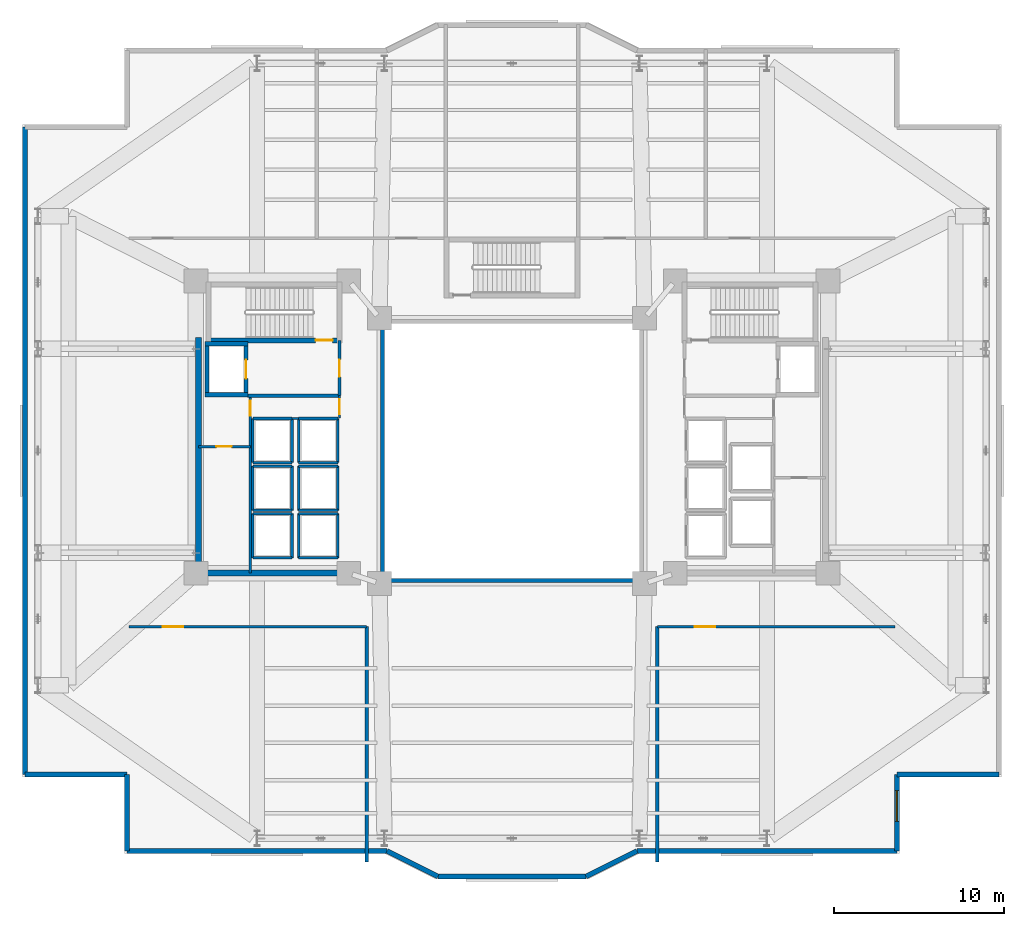
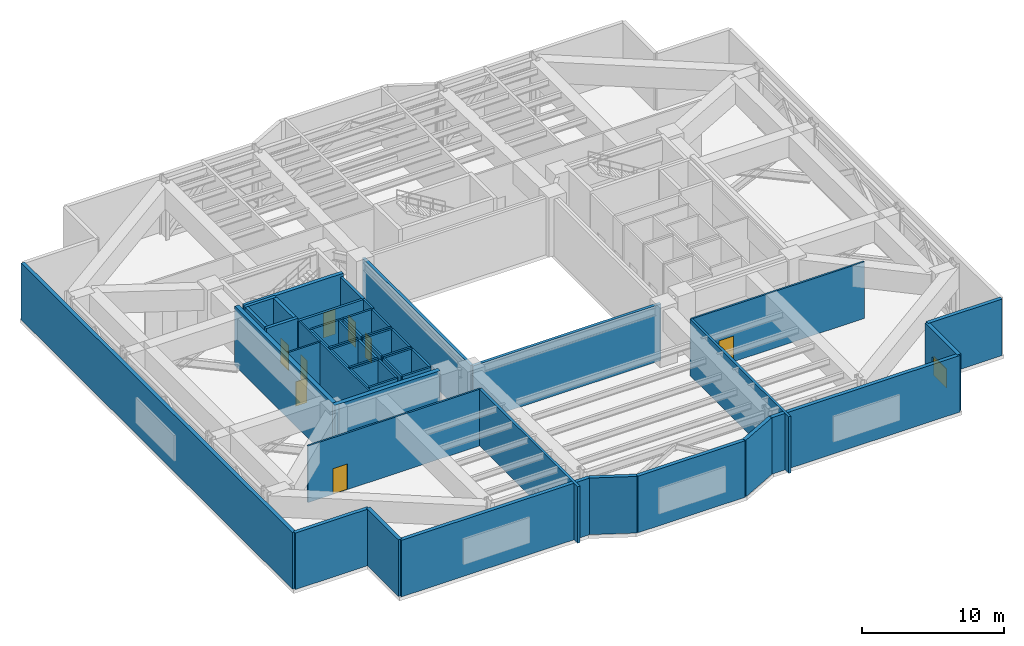
# One storey, part 8 of 12: 53 walls, 8 doors, 1 window, 9 openings.
"""IFC4 building model written with IfcOpenShell, lengths in metres."""

from ifc_helpers import new_model, si_unit, direction, frame, frame_2d, origin, place, context, subcontext, project, spatial, rectangle, extrude, material, layer, layer_set, type_object, element, fill, save


model = new_model("IFC4")

# Units and contexts
model_context = context("Model", 3, precision=1e-05, world=origin(), true_north=direction((0.0, 1.0)))
body_context = subcontext(model_context, "Body", "Model", "MODEL_VIEW")
ifc_project = project(units=[si_unit("LENGTHUNIT", "METRE"), si_unit("AREAUNIT", "SQUARE_METRE"), si_unit("VOLUMEUNIT", "CUBIC_METRE"), si_unit("PLANEANGLEUNIT", "RADIAN"), si_unit("MASSUNIT", "GRAM", prefix="KILO")], contexts=[model_context])

# Site, building, storey
site_placement = place(None, origin())
site = spatial("IfcSite", under=ifc_project, at=site_placement, CompositionType="ELEMENT")
building_placement = place(site_placement, origin())
building = spatial("IfcBuilding", under=site, at=building_placement, Name="Tarnavaz Court Tower", CompositionType="ELEMENT")
storey_placement = place(building_placement, frame((0.0, 0.0, 73.199951171875)))
storey = spatial("IfcBuildingStorey", under=building, at=storey_placement, Name="L19", CompositionType="ELEMENT", Elevation=73.199951171875)

# Wall
ifc_material_1 = material(Name="Concrete C60/75", Category="concrete")
ifc_layer_1 = layer(ifc_material_1, 0.25)
ifc_layer_set_1 = layer_set([ifc_layer_1], Name="Concrete C60/75")
wall_type_1 = type_object("IfcWallType", Name="WL-CORE-250-C60", PredefinedType="SHEAR", material=ifc_layer_set_1)
wall_1_placement = place(storey_placement, frame((-17.949951171875, 3.175048828125, 0.0), z_axis=(0.0, 0.0, 1.0), x_axis=(0.0, 1.0, 0.0)))
element("IfcWall", 1, at=wall_1_placement, inside=storey, type_object=wall_type_1, Name="L19 Lift FL-W1 Shaft Wall 017", PredefinedType="SHEAR", context=body_context, shape_type="SweptSolid", body=[
    extrude(rectangle(XDim=3.25, YDim=0.25, at=frame_2d((1.625, 0.0))), origin(), (0.0, 0.0, 1.0), 5.10009765625),
])

# Wall, opening, door
wall_2_placement = place(storey_placement, frame((-15.64990234375, 3.175048828125, 0.0), z_axis=(0.0, 0.0, 1.0), x_axis=(0.0, 1.0, 0.0)))
wall_2 = element("IfcWall", 2, at=wall_2_placement, inside=storey, type_object=wall_type_1, Name="L19 Lift FL-W1 Shaft Wall 018", PredefinedType="SHEAR", context=body_context, shape_type="SweptSolid", body=[
    extrude(rectangle(XDim=3.25, YDim=0.25, at=frame_2d((1.625, 0.0))), origin(), (0.0, 0.0, 1.0), 5.10009765625),
])
opening_1_placement = place(wall_2_placement, frame((1.074951171875, 0.0, 0.0)))
opening_1 = element("IfcOpeningElement", 3, at=opening_1_placement, cuts=wall_2, Name="Opening LD1", PredefinedType="OPENING", context=body_context, shape_type="SweptSolid", body=[
    extrude(rectangle(XDim=1.10009765625, YDim=2.14990234375, at=frame_2d((0.550048828125, 1.074951171875))), frame((0.0, 0.135009765625, 0.0), z_axis=(0.0, -1.0, 0.0), x_axis=(1.0, 0.0, 0.0)), (0.0, 0.0, 1.0), 0.27001953125),
])
ifc_material_2 = material(Name="Stainless Steel", Category="steel")
door_type_1 = type_object("IfcDoorType", Name="DR-LD-1100", OperationType="NOTDEFINED", PredefinedType="DOOR", material=ifc_material_2)
door_1_placement = place(opening_1_placement, origin())
door_1 = element("IfcDoor", 4, at=door_1_placement, inside=storey, type_object=door_type_1, Name="L19 Lift Landing Door LD-FL-W1", OperationType="SLIDING_TO_LEFT", OverallHeight=2.14990234375, OverallWidth=1.10009765625, PredefinedType="DOOR", context=body_context, shape_type="SweptSolid", body=[
    extrude(rectangle(XDim=1.10009765625, YDim=2.14990234375, at=frame_2d((0.550048828125, 1.074951171875))), frame((0.0, 0.02490234375, 0.0), z_axis=(0.0, -1.0, 0.0), x_axis=(1.0, 0.0, 0.0)), (0.0, 0.0, 1.0), 0.050048828125),
])
fill(opening_1, door_1)

# Walls
for number, where, z_axis, x_axis, name in (
    (5, (-18.074951171875, 3.300048828125, 0.0), (0.0, 0.0, 1.0), (1.0, 0.0, 0.0), "L19 Lift FL-W1 Shaft Wall 019"),
    (6, (-18.074951171875, 6.300048828125, 0.0), (0.0, 0.0, 1.0), (1.0, 0.0, 0.0), "L19 Lift FL-W1 Shaft Wall 020"),
):
    element("IfcWall", number, at=place(storey_placement, frame(where, z_axis=z_axis, x_axis=x_axis)), inside=storey, type_object=wall_type_1, Name=name, PredefinedType="SHEAR", context=body_context, shape_type="SweptSolid", body=[
        extrude(rectangle(XDim=2.550048828125, YDim=0.25, at=frame_2d((1.27490234375, 0.0))), origin(), (0.0, 0.0, 1.0), 5.10009765625),
    ])

# Wall, opening, door
ifc_layer_2 = layer(ifc_material_1, 0.300048828125)
ifc_layer_set_2 = layer_set([ifc_layer_2], Name="Concrete C60/75")
wall_type_2 = type_object("IfcWallType", Name="WL-CORE-300-C60", PredefinedType="SHEAR", material=ifc_layer_set_2)
wall_3_placement = place(storey_placement, frame((-18.0, 6.5, 0.0), z_axis=(0.0, 0.0, 1.0), x_axis=(1.0, 0.0, 0.0)))
wall_3 = element("IfcWall", 7, at=wall_3_placement, inside=storey, type_object=wall_type_2, Name="L19 West Stair Core Wall 002", PredefinedType="SHEAR", context=body_context, shape_type="SweptSolid", body=[
    extrude(rectangle(XDim=8.0, YDim=0.300048828125, at=frame_2d((4.0, 0.0))), origin(), (0.0, 0.0, 1.0), 5.10009765625),
])
opening_2_placement = place(wall_3_placement, frame((6.449951171875, 0.0, 0.0)))
opening_2 = element("IfcOpeningElement", 8, at=opening_2_placement, cuts=wall_3, Name="Opening D01", PredefinedType="OPENING", context=body_context, shape_type="SweptSolid", body=[
    extrude(rectangle(XDim=1.0, YDim=2.14990234375, at=frame_2d((0.5, 1.074951171875))), frame((0.0, 0.159912109375, 0.0), z_axis=(0.0, -1.0, 0.0), x_axis=(1.0, 0.0, 0.0)), (0.0, 0.0, 1.0), 0.320068359375),
])
ifc_material_3 = material(Name="Fire-Rated Hardwood Timber Core", Category="wood")
door_type_2 = type_object("IfcDoorType", Name="DR-FD90-1000", OperationType="NOTDEFINED", PredefinedType="DOOR", material=ifc_material_3)
door_2_placement = place(opening_2_placement, origin())
door_2 = element("IfcDoor", 9, at=door_2_placement, inside=storey, type_object=door_type_2, Name="L19 Stair ST-W1 Exit Door", OperationType="SINGLE_SWING_LEFT", OverallHeight=2.14990234375, OverallWidth=1.0, PredefinedType="DOOR", context=body_context, shape_type="SweptSolid", body=[
    extrude(rectangle(XDim=1.0, YDim=2.14990234375, at=frame_2d((0.5, 1.074951171875))), frame((0.0, 0.02490234375, 0.0), z_axis=(0.0, -1.0, 0.0), x_axis=(1.0, 0.0, 0.0)), (0.0, 0.0, 1.0), 0.050048828125),
])
fill(opening_2, door_2)

# Walls
ifc_layer_3 = layer(ifc_material_1, 0.35009765625)
ifc_layer_set_3 = layer_set([ifc_layer_3], Name="Concrete C60/75")
wall_type_3 = type_object("IfcWallType", Name="WL-CORE-350-C60", PredefinedType="SHEAR", material=ifc_layer_set_3)
wall_4_placement = place(storey_placement, frame((-18.449951171875, -7.375, 0.0), z_axis=(0.0, 0.0, 1.0), x_axis=(0.0, 1.0, 0.0)))
element("IfcWall", 10, at=wall_4_placement, inside=storey, type_object=wall_type_3, Name="L19 West Core Shear Wall 069", PredefinedType="SHEAR", context=body_context, shape_type="SweptSolid", body=[
    extrude(rectangle(XDim=14.050048828125, YDim=0.35009765625, at=frame_2d((7.02490234375, 0.0))), origin(), (0.0, 0.0, 1.0), 5.10009765625),
])
wall_5_placement = place(storey_placement, frame((-18.625, -7.199951171875, 0.0), z_axis=(0.0, 0.0, 1.0), x_axis=(1.0, 0.0, 0.0)))
element("IfcWall", 11, at=wall_5_placement, inside=storey, type_object=wall_type_3, Name="L19 West Core South Shear Wall 070", PredefinedType="SHEAR", context=body_context, shape_type="SweptSolid", body=[
    extrude(rectangle(XDim=8.550048828125, YDim=0.35009765625, at=frame_2d((4.27490234375, 0.0))), origin(), (0.0, 0.0, 1.0), 5.10009765625),
])
ifc_material_4 = material(Name="Precast Concrete C40/50", Category="concrete")
ifc_layer_4 = layer(ifc_material_4, 0.300048828125)
ifc_layer_set_4 = layer_set([ifc_layer_4], Name="Precast Concrete C40/50")
wall_type_4 = type_object("IfcWallType", Name="WL-EXT-300", PredefinedType="SOLIDWALL", material=ifc_layer_set_4)
wall_6_placement = place(storey_placement, frame((-22.64990234375, -19.050048828125, 0.0), z_axis=(0.0, 0.0, 1.0), x_axis=(-1.0, 0.0, 0.0)))
element("IfcWall", 12, at=wall_6_placement, inside=storey, type_object=wall_type_4, Name="L19 Exterior Terracotta Facade Wall 01", PredefinedType="SOLIDWALL", context=body_context, shape_type="SweptSolid", body=[
    extrude(rectangle(XDim=6.0, YDim=0.300048828125, at=frame_2d((3.0, 0.0))), origin(), (0.0, 0.0, 1.0), 4.85009765625),
])
wall_7_placement = place(storey_placement, frame((-28.64990234375, -19.050048828125, 0.0), z_axis=(0.0, 0.0, 1.0), x_axis=(0.0, 1.0, 0.0)))
element("IfcWall", 13, at=wall_7_placement, inside=storey, type_object=wall_type_4, Name="L19 Exterior Terracotta Facade Wall 02", PredefinedType="SOLIDWALL", context=body_context, shape_type="SweptSolid", body=[
    extrude(rectangle(XDim=38.10009765625, YDim=0.300048828125, at=frame_2d((19.050048828125, 0.0))), origin(), (0.0, 0.0, 1.0), 4.85009765625),
])
wall_8_placement = place(storey_placement, frame((28.64990234375, -19.050048828125, 0.0), z_axis=(0.0, 0.0, 1.0), x_axis=(-1.0, 0.0, 0.0)))
element("IfcWall", 14, at=wall_8_placement, inside=storey, type_object=wall_type_4, Name="L19 Exterior Terracotta Facade Wall 13", PredefinedType="SOLIDWALL", context=body_context, shape_type="SweptSolid", body=[
    extrude(rectangle(XDim=6.0, YDim=0.300048828125, at=frame_2d((3.0, 0.0))), origin(), (0.0, 0.0, 1.0), 4.85009765625),
])

# Wall, opening, window
wall_9_placement = place(storey_placement, frame((22.64990234375, -19.050048828125, 0.0), z_axis=(0.0, 0.0, 1.0), x_axis=(0.0, -1.0, 0.0)))
wall_9 = element("IfcWall", 15, at=wall_9_placement, inside=storey, type_object=wall_type_4, Name="L19 Exterior Terracotta Facade Wall 14", PredefinedType="SOLIDWALL", context=body_context, shape_type="SweptSolid", body=[
    extrude(rectangle(XDim=4.5, YDim=0.300048828125, at=frame_2d((2.25, 0.0))), origin(), (0.0, 0.0, 1.0), 4.85009765625),
])
opening_3_placement = place(wall_9_placement, frame((0.949951171875, 0.0, 0.89990234375)))
opening_3 = element("IfcOpeningElement", 16, at=opening_3_placement, cuts=wall_9, Name="Opening W01", PredefinedType="OPENING", context=body_context, shape_type="SweptSolid", body=[
    extrude(rectangle(XDim=1.800048828125, YDim=1.64990234375, at=frame_2d((0.89990234375, 0.824951171875))), frame((0.0, 0.159912109375, 0.0), z_axis=(0.0, -1.0, 0.0), x_axis=(1.0, 0.0, 0.0)), (0.0, 0.0, 1.0), 0.320068359375),
])
ifc_material_5 = material(Name="Double-Glazed Solar Low-E Glass", Category="glass")
window_type = type_object("IfcWindowType", Name="WN-APT-1800", PartitioningType="DOUBLE_PANEL_VERTICAL", PredefinedType="WINDOW", material=ifc_material_5)
window_placement = place(opening_3_placement, origin())
window = element("IfcWindow", 17, at=window_placement, inside=storey, type_object=window_type, Name="L19 South Protected Refuge Holding Area Window", OverallHeight=1.64990234375, OverallWidth=1.800048828125, PartitioningType="SINGLE_PANEL", PredefinedType="WINDOW", context=body_context, shape_type="SweptSolid", body=[
    extrude(rectangle(XDim=1.800048828125, YDim=1.64990234375, at=frame_2d((0.89990234375, 0.824951171875))), frame((0.0, 0.030029296875, 0.0), z_axis=(0.0, -1.0, 0.0), x_axis=(1.0, 0.0, 0.0)), (0.0, 0.0, 1.0), 0.06005859375),
])
fill(opening_3, window)

# Walls
wall_10_placement = place(storey_placement, frame((22.64990234375, -23.550048828125, 0.0), z_axis=(0.0, 0.0, 1.0), x_axis=(-1.0, 0.0, 0.0)))
element("IfcWall", 18, at=wall_10_placement, inside=storey, type_object=wall_type_4, Name="L19 Exterior Terracotta Facade Wall 15", PredefinedType="SOLIDWALL", context=body_context, shape_type="SweptSolid", body=[
    extrude(rectangle(XDim=15.2998046875, YDim=0.300048828125, at=frame_2d((7.64990234375, 0.0))), origin(), (0.0, 0.0, 1.0), 4.85009765625),
])
wall_11_placement = place(storey_placement, frame((7.35009765625, -23.550048828125, 0.0), z_axis=(0.0, 0.0, 1.0), x_axis=(-0.894427191, -0.4472135955, 0.0)))
element("IfcWall", 19, at=wall_11_placement, inside=storey, type_object=wall_type_4, Name="L19 Exterior Terracotta Facade Wall 16", PredefinedType="SOLIDWALL", context=body_context, shape_type="SweptSolid", body=[
    extrude(rectangle(XDim=3.35400390625, YDim=0.300048828125, at=frame_2d((1.677001953125, 0.0))), origin(), (0.0, 0.0, 1.0), 4.85009765625),
])
wall_12_placement = place(storey_placement, frame((4.35009765625, -25.050048828125, 0.0), z_axis=(0.0, 0.0, 1.0), x_axis=(-1.0, 0.0, 0.0)))
element("IfcWall", 20, at=wall_12_placement, inside=storey, type_object=wall_type_4, Name="L19 Exterior Terracotta Facade Wall 17", PredefinedType="SOLIDWALL", context=body_context, shape_type="SweptSolid", body=[
    extrude(rectangle(XDim=8.7001953125, YDim=0.300048828125, at=frame_2d((4.35009765625, 0.0))), origin(), (0.0, 0.0, 1.0), 4.85009765625),
])
wall_13_placement = place(storey_placement, frame((-4.35009765625, -25.050048828125, 0.0), z_axis=(0.0, 0.0, 1.0), x_axis=(-0.894427191, 0.4472135955, 0.0)))
element("IfcWall", 21, at=wall_13_placement, inside=storey, type_object=wall_type_4, Name="L19 Exterior Terracotta Facade Wall 18", PredefinedType="SOLIDWALL", context=body_context, shape_type="SweptSolid", body=[
    extrude(rectangle(XDim=3.35400390625, YDim=0.300048828125, at=frame_2d((1.677001953125, 0.0))), origin(), (0.0, 0.0, 1.0), 4.85009765625),
])
wall_14_placement = place(storey_placement, frame((-7.35009765625, -23.550048828125, 0.0), z_axis=(0.0, 0.0, 1.0), x_axis=(-1.0, 0.0, 0.0)))
element("IfcWall", 22, at=wall_14_placement, inside=storey, type_object=wall_type_4, Name="L19 Exterior Terracotta Facade Wall 19", PredefinedType="SOLIDWALL", context=body_context, shape_type="SweptSolid", body=[
    extrude(rectangle(XDim=15.2998046875, YDim=0.300048828125, at=frame_2d((7.64990234375, 0.0))), origin(), (0.0, 0.0, 1.0), 4.85009765625),
])
wall_15_placement = place(storey_placement, frame((-22.64990234375, -23.550048828125, 0.0), z_axis=(0.0, 0.0, 1.0), x_axis=(0.0, 1.0, 0.0)))
element("IfcWall", 23, at=wall_15_placement, inside=storey, type_object=wall_type_4, Name="L19 Exterior Terracotta Facade Wall 20", PredefinedType="SOLIDWALL", context=body_context, shape_type="SweptSolid", body=[
    extrude(rectangle(XDim=4.5, YDim=0.300048828125, at=frame_2d((2.25, 0.0))), origin(), (0.0, 0.0, 1.0), 4.85009765625),
])

# Wall, opening, door
ifc_material_6 = material(Name="Gypsum Fire-Board on Acoustic Metal Stud", Category="masonry")
ifc_layer_5 = layer(ifc_material_6, 0.14990234375)
ifc_layer_set_5 = layer_set([ifc_layer_5], Name="Gypsum Fire-Board on Acoustic Metal Stud")
wall_type_5 = type_object("IfcWallType", Name="WL-FIRE-150", PredefinedType="PARTITIONING", material=ifc_layer_set_5)
wall_16_placement = place(storey_placement, frame((-22.550048828125, -10.35009765625, 0.0), z_axis=(0.0, 0.0, 1.0), x_axis=(1.0, 0.0, 0.0)))
wall_16 = element("IfcWall", 24, at=wall_16_placement, inside=storey, type_object=wall_type_5, Name="L19 SW Horseshoe Wall 083", PredefinedType="PARTITIONING", context=body_context, shape_type="SweptSolid", body=[
    extrude(rectangle(XDim=14.0, YDim=0.14990234375, at=frame_2d((7.0, 0.0))), origin(), (0.0, 0.0, 1.0), 4.85009765625),
])
opening_4_placement = place(wall_16_placement, frame((2.0, 0.0, 0.0)))
opening_4 = element("IfcOpeningElement", 25, at=opening_4_placement, cuts=wall_16, Name="Opening D03", PredefinedType="OPENING", context=body_context, shape_type="SweptSolid", body=[
    extrude(rectangle(XDim=1.199951171875, YDim=2.199951171875, at=frame_2d((0.60009765625, 1.10009765625))), frame((0.0, 0.0849609375, 0.0), z_axis=(0.0, -1.0, 0.0), x_axis=(1.0, 0.0, 0.0)), (0.0, 0.0, 1.0), 0.169921875),
])
door_type_3 = type_object("IfcDoorType", Name="DR-FD90-1200", OperationType="NOTDEFINED", PredefinedType="DOOR", material=ifc_material_3)
door_3_placement = place(opening_4_placement, origin())
door_3 = element("IfcDoor", 26, at=door_3_placement, inside=storey, type_object=door_type_3, Name="L19 Electrical Switchgear Plant Door", OperationType="SINGLE_SWING_LEFT", OverallHeight=2.199951171875, OverallWidth=1.199951171875, PredefinedType="DOOR", context=body_context, shape_type="SweptSolid", body=[
    extrude(rectangle(XDim=1.199951171875, YDim=2.199951171875, at=frame_2d((0.60009765625, 1.10009765625))), frame((0.0, 0.02490234375, 0.0), z_axis=(0.0, -1.0, 0.0), x_axis=(1.0, 0.0, 0.0)), (0.0, 0.0, 1.0), 0.050048828125),
])
fill(opening_4, door_3)

wall_17_placement = place(storey_placement, frame((8.550048828125, -10.35009765625, 0.0), z_axis=(0.0, 0.0, 1.0), x_axis=(1.0, 0.0, 0.0)))
wall_17 = element("IfcWall", 27, at=wall_17_placement, inside=storey, type_object=wall_type_5, Name="L19 SE Horseshoe Wall 084", PredefinedType="PARTITIONING", context=body_context, shape_type="SweptSolid", body=[
    extrude(rectangle(XDim=14.0, YDim=0.14990234375, at=frame_2d((7.0, 0.0))), origin(), (0.0, 0.0, 1.0), 4.85009765625),
])
opening_5_placement = place(wall_17_placement, frame((2.199951171875, 0.0, 0.0)))
opening_5 = element("IfcOpeningElement", 28, at=opening_5_placement, cuts=wall_17, Name="Opening D03", PredefinedType="OPENING", context=body_context, shape_type="SweptSolid", body=[
    extrude(rectangle(XDim=1.199951171875, YDim=2.199951171875, at=frame_2d((0.60009765625, 1.10009765625))), frame((0.0, 0.0849609375, 0.0), z_axis=(0.0, -1.0, 0.0), x_axis=(1.0, 0.0, 0.0)), (0.0, 0.0, 1.0), 0.169921875),
])
door_4_placement = place(opening_5_placement, origin())
door_4 = element("IfcDoor", 29, at=door_4_placement, inside=storey, type_object=door_type_3, Name="L19 South Refuge Area Door", OperationType="SINGLE_SWING_RIGHT", OverallHeight=2.199951171875, OverallWidth=1.199951171875, PredefinedType="DOOR", context=body_context, shape_type="SweptSolid", body=[
    extrude(rectangle(XDim=1.199951171875, YDim=2.199951171875, at=frame_2d((0.60009765625, 1.10009765625))), frame((0.0, 0.02490234375, 0.0), z_axis=(0.0, -1.0, 0.0), x_axis=(1.0, 0.0, 0.0)), (0.0, 0.0, 1.0), 0.050048828125),
])
fill(opening_5, door_4)

# Wall
ifc_material_7 = material(Name="Autoclaved Aerated Concrete Blockwork", Category="masonry")
ifc_layer_6 = layer(ifc_material_7, 0.199951171875)
ifc_layer_set_6 = layer_set([ifc_layer_6], Name="Autoclaved Aerated Concrete Blockwork")
wall_type_6 = type_object("IfcWallType", Name="WL-FIRE-200", PredefinedType="SOLIDWALL", material=ifc_layer_set_6)
wall_18_placement = place(storey_placement, frame((-15.550048828125, 3.25, 0.0), z_axis=(0.0, 0.0, 1.0), x_axis=(1.0, 0.0, 0.0)))
element("IfcWall", 30, at=wall_18_placement, inside=storey, type_object=wall_type_6, Name="L19 West Firefighting Lobby Wall 013", PredefinedType="SOLIDWALL", context=body_context, shape_type="SweptSolid", body=[
    extrude(rectangle(XDim=5.400146484375, YDim=0.199951171875, at=frame_2d((2.7001953125, 0.0))), origin(), (0.0, 0.0, 1.0), 4.85009765625),
])

# Wall, opening, door
wall_19_placement = place(storey_placement, frame((-10.14990234375, 3.25, 0.0), z_axis=(0.0, 0.0, 1.0), x_axis=(0.0, 1.0, 0.0)))
wall_19 = element("IfcWall", 31, at=wall_19_placement, inside=storey, type_object=wall_type_6, Name="L19 West Firefighting Lobby Wall 014", PredefinedType="SOLIDWALL", context=body_context, shape_type="SweptSolid", body=[
    extrude(rectangle(XDim=3.25, YDim=0.199951171875, at=frame_2d((1.625, 0.0))), origin(), (0.0, 0.0, 1.0), 4.85009765625),
])
opening_6_placement = place(wall_19_placement, frame((1.10009765625, 0.0, 0.0)))
opening_6 = element("IfcOpeningElement", 32, at=opening_6_placement, cuts=wall_19, Name="Opening D05", PredefinedType="OPENING", context=body_context, shape_type="SweptSolid", body=[
    extrude(rectangle(XDim=1.02001953125, YDim=2.14990234375, at=frame_2d((0.510009765625, 1.074951171875))), frame((0.0, 0.10986328125, 0.0), z_axis=(0.0, -1.0, 0.0), x_axis=(1.0, 0.0, 0.0)), (0.0, 0.0, 1.0), 0.219970703125),
])
door_type_4 = type_object("IfcDoorType", Name="DR-FD60-1000", OperationType="NOTDEFINED", PredefinedType="DOOR", material=ifc_material_3)
door_5_placement = place(opening_6_placement, origin())
door_5 = element("IfcDoor", 33, at=door_5_placement, inside=storey, type_object=door_type_4, Name="L19 West Firefighting Lobby Door", OperationType="SINGLE_SWING_RIGHT", OverallHeight=2.14990234375, OverallWidth=1.02001953125, PredefinedType="DOOR", context=body_context, shape_type="SweptSolid", body=[
    extrude(rectangle(XDim=1.02001953125, YDim=2.14990234375, at=frame_2d((0.510009765625, 1.074951171875))), frame((0.0, 0.02490234375, 0.0), z_axis=(0.0, -1.0, 0.0), x_axis=(1.0, 0.0, 0.0)), (0.0, 0.0, 1.0), 0.050048828125),
])
fill(opening_6, door_5)

# Walls
for number, where, z_axis, x_axis, name in (
    (34, (-8.550048828125, -24.2041015625, 0.0), (0.0, 0.0, 1.0), (0.0, 1.0, 0.0), "L19 Interior Partition 089"),
    (35, (8.550048828125, -24.2041015625, 0.0), (0.0, 0.0, 1.0), (0.0, 1.0, 0.0), "L19 Interior Partition 090"),
):
    element("IfcWall", number, at=place(storey_placement, frame(where, z_axis=z_axis, x_axis=x_axis)), inside=storey, type_object=wall_type_6, Name=name, PredefinedType="SOLIDWALL", context=body_context, shape_type="SweptSolid", body=[
        extrude(rectangle(XDim=13.85400390625, YDim=0.199951171875, at=frame_2d((6.927001953125, 0.0))), origin(), (0.0, 0.0, 1.0), 4.85009765625),
    ])
ifc_material_8 = material(Name="Gypsum Plasterboard Acoustic Partition", Category="masonry")
ifc_layer_7 = layer(ifc_material_8, 0.139892578125)
ifc_layer_set_7 = layer_set([ifc_layer_7], Name="Gypsum Plasterboard Acoustic Partition")
wall_type_7 = type_object("IfcWallType", Name="WL-PART-150", PredefinedType="PARTITIONING", material=ifc_layer_set_7)
wall_20_placement = place(storey_placement, frame((-12.949951171875, 1.89990234375, 0.0), z_axis=(0.0, 0.0, 1.0), x_axis=(1.0, 0.0, 0.0)))
element("IfcWall", 36, at=wall_20_placement, inside=storey, type_object=wall_type_7, Name="L19 Interior Partition 073", PredefinedType="PARTITIONING", context=body_context, shape_type="SweptSolid", body=[
    extrude(rectangle(XDim=0.39990234375, YDim=0.139892578125, at=frame_2d((0.199951171875, 0.0))), origin(), (0.0, 0.0, 1.0), 4.85009765625),
])

# Wall, opening, door
wall_21_placement = place(storey_placement, frame((-10.14990234375, 1.919921875, 0.0), z_axis=(0.0, 0.0, 1.0), x_axis=(0.0, 1.0, 0.0)))
wall_21 = element("IfcWall", 37, at=wall_21_placement, inside=storey, type_object=wall_type_7, Name="L19 Interior Partition 074", PredefinedType="PARTITIONING", context=body_context, shape_type="SweptSolid", body=[
    extrude(rectangle(XDim=1.330078125, YDim=0.139892578125, at=frame_2d((0.6650390625, 0.0))), origin(), (0.0, 0.0, 1.0), 4.85009765625),
])
opening_7_placement = place(wall_21_placement, frame((0.219970703125, 0.0, 0.0)))
opening_7 = element("IfcOpeningElement", 38, at=opening_7_placement, cuts=wall_21, Name="Opening D09", PredefinedType="OPENING", context=body_context, shape_type="SweptSolid", body=[
    extrude(rectangle(XDim=0.89990234375, YDim=2.080078125, at=frame_2d((0.449951171875, 1.0400390625))), frame((0.0, 0.079833984375, 0.0), z_axis=(0.0, -1.0, 0.0), x_axis=(1.0, 0.0, 0.0)), (0.0, 0.0, 1.0), 0.159912109375),
])
door_type_5 = type_object("IfcDoorType", Name="DR-FD30-900", OperationType="NOTDEFINED", PredefinedType="DOOR", material=ifc_material_3)
door_6_placement = place(opening_7_placement, origin())
door_6 = element("IfcDoor", 39, at=door_6_placement, inside=storey, type_object=door_type_5, Name="L19 West Core Service Lobby Door", OperationType="SINGLE_SWING_LEFT", OverallHeight=2.080078125, OverallWidth=0.89990234375, PredefinedType="DOOR", context=body_context, shape_type="SweptSolid", body=[
    extrude(rectangle(XDim=0.89990234375, YDim=2.080078125, at=frame_2d((0.449951171875, 1.0400390625))), frame((0.0, 0.02490234375, 0.0), z_axis=(0.0, -1.0, 0.0), x_axis=(1.0, 0.0, 0.0)), (0.0, 0.0, 1.0), 0.050048828125),
])
fill(opening_7, door_6)

wall_22_placement = place(storey_placement, frame((-15.39990234375, -7.199951171875, 0.0), z_axis=(0.0, 0.0, 1.0), x_axis=(0.0, 1.0, 0.0)))
wall_22 = element("IfcWall", 40, at=wall_22_placement, inside=storey, type_object=wall_type_7, Name="L19 Interior Partition 075", PredefinedType="PARTITIONING", context=body_context, shape_type="SweptSolid", body=[
    extrude(rectangle(XDim=10.449951171875, YDim=0.139892578125, at=frame_2d((5.22509765625, 0.0))), origin(), (0.0, 0.0, 1.0), 4.85009765625),
])
opening_8_placement = place(wall_22_placement, frame((9.25, 0.0, 0.0)))
opening_8 = element("IfcOpeningElement", 41, at=opening_8_placement, cuts=wall_22, Name="Opening D09", PredefinedType="OPENING", context=body_context, shape_type="SweptSolid", body=[
    extrude(rectangle(XDim=0.89990234375, YDim=2.080078125, at=frame_2d((0.449951171875, 1.0400390625))), frame((0.0, 0.079833984375, 0.0), z_axis=(0.0, -1.0, 0.0), x_axis=(1.0, 0.0, 0.0)), (0.0, 0.0, 1.0), 0.159912109375),
])
door_7_placement = place(opening_8_placement, origin())
door_7 = element("IfcDoor", 42, at=door_7_placement, inside=storey, type_object=door_type_5, Name="L19 West Data Room Door", OperationType="SINGLE_SWING_RIGHT", OverallHeight=2.080078125, OverallWidth=0.89990234375, PredefinedType="DOOR", context=body_context, shape_type="SweptSolid", body=[
    extrude(rectangle(XDim=0.89990234375, YDim=2.080078125, at=frame_2d((0.449951171875, 1.0400390625))), frame((0.0, 0.02490234375, 0.0), z_axis=(0.0, -1.0, 0.0), x_axis=(1.0, 0.0, 0.0)), (0.0, 0.0, 1.0), 0.050048828125),
])
fill(opening_8, door_7)

wall_23_placement = place(storey_placement, frame((-18.449951171875, 0.25, 0.0), z_axis=(0.0, 0.0, 1.0), x_axis=(1.0, 0.0, 0.0)))
wall_23 = element("IfcWall", 43, at=wall_23_placement, inside=storey, type_object=wall_type_7, Name="L19 Interior Partition 076", PredefinedType="PARTITIONING", context=body_context, shape_type="SweptSolid", body=[
    extrude(rectangle(XDim=3.050048828125, YDim=0.139892578125, at=frame_2d((1.52490234375, 0.0))), origin(), (0.0, 0.0, 1.0), 4.85009765625),
])
opening_9_placement = place(wall_23_placement, frame((1.050048828125, 0.0, 0.0)))
opening_9 = element("IfcOpeningElement", 44, at=opening_9_placement, cuts=wall_23, Name="Opening D09", PredefinedType="OPENING", context=body_context, shape_type="SweptSolid", body=[
    extrude(rectangle(XDim=0.89990234375, YDim=2.080078125, at=frame_2d((0.449951171875, 1.0400390625))), frame((0.0, 0.079833984375, 0.0), z_axis=(0.0, -1.0, 0.0), x_axis=(1.0, 0.0, 0.0)), (0.0, 0.0, 1.0), 0.159912109375),
])
door_8_placement = place(opening_9_placement, origin())
door_8 = element("IfcDoor", 45, at=door_8_placement, inside=storey, type_object=door_type_5, Name="L19 West Mechanical Riser Door", OperationType="SINGLE_SWING_LEFT", OverallHeight=2.080078125, OverallWidth=0.89990234375, PredefinedType="DOOR", context=body_context, shape_type="SweptSolid", body=[
    extrude(rectangle(XDim=0.89990234375, YDim=2.080078125, at=frame_2d((0.449951171875, 1.0400390625))), frame((0.0, 0.02490234375, 0.0), z_axis=(0.0, -1.0, 0.0), x_axis=(1.0, 0.0, 0.0)), (0.0, 0.0, 1.0), 0.050048828125),
])
fill(opening_9, door_8)

# Walls
ifc_layer_8 = layer(ifc_material_7, 0.159912109375)
ifc_layer_set_8 = layer_set([ifc_layer_8], Name="Autoclaved Aerated Concrete Blockwork")
wall_type_8 = type_object("IfcWallType", Name="WL-SHAFT-150", PredefinedType="SOLIDWALL", material=ifc_layer_set_8)
for number, where, z_axis, x_axis, name in (
    (46, (-12.550048828125, -6.300048828125, 0.0), (0.0, 0.0, 1.0), (0.0, 1.0, 0.0), "L19 Lift PL-L1 Shaft Wall 021"),
    (47, (-10.25, -6.300048828125, 0.0), (0.0, 0.0, 1.0), (0.0, 1.0, 0.0), "L19 Lift PL-L1 Shaft Wall 022"),
):
    element("IfcWall", number, at=place(storey_placement, frame(where, z_axis=z_axis, x_axis=x_axis)), inside=storey, type_object=wall_type_8, Name=name, PredefinedType="SOLIDWALL", context=body_context, shape_type="SweptSolid", body=[
        extrude(rectangle(XDim=2.60009765625, YDim=0.159912109375, at=frame_2d((1.300048828125, 0.0))), origin(), (0.0, 0.0, 1.0), 4.85009765625),
    ])
for number, where, z_axis, x_axis, name in (
    (48, (-12.550048828125, -6.300048828125, 0.0), (0.0, 0.0, 1.0), (1.0, 0.0, 0.0), "L19 Lift PL-L1 Shaft Wall 023"),
    (49, (-12.550048828125, -3.699951171875, 0.0), (0.0, 0.0, 1.0), (1.0, 0.0, 0.0), "L19 Lift PL-L1 Shaft Wall 024"),
):
    element("IfcWall", number, at=place(storey_placement, frame(where, z_axis=z_axis, x_axis=x_axis)), inside=storey, type_object=wall_type_8, Name=name, PredefinedType="SOLIDWALL", context=body_context, shape_type="SweptSolid", body=[
        extrude(rectangle(XDim=2.300048828125, YDim=0.159912109375, at=frame_2d((1.14990234375, 0.0))), origin(), (0.0, 0.0, 1.0), 4.85009765625),
    ])
for number, where, z_axis, x_axis, name in (
    (50, (-12.550048828125, -3.5, 0.0), (0.0, 0.0, 1.0), (0.0, 1.0, 0.0), "L19 Lift PL-L2 Shaft Wall 025"),
    (51, (-10.25, -3.5, 0.0), (0.0, 0.0, 1.0), (0.0, 1.0, 0.0), "L19 Lift PL-L2 Shaft Wall 026"),
):
    element("IfcWall", number, at=place(storey_placement, frame(where, z_axis=z_axis, x_axis=x_axis)), inside=storey, type_object=wall_type_8, Name=name, PredefinedType="SOLIDWALL", context=body_context, shape_type="SweptSolid", body=[
        extrude(rectangle(XDim=2.60009765625, YDim=0.159912109375, at=frame_2d((1.300048828125, 0.0))), origin(), (0.0, 0.0, 1.0), 4.85009765625),
    ])
for number, where, z_axis, x_axis, name in (
    (52, (-12.550048828125, -3.5, 0.0), (0.0, 0.0, 1.0), (1.0, 0.0, 0.0), "L19 Lift PL-L2 Shaft Wall 027"),
    (53, (-12.550048828125, -0.89990234375, 0.0), (0.0, 0.0, 1.0), (1.0, 0.0, 0.0), "L19 Lift PL-L2 Shaft Wall 028"),
):
    element("IfcWall", number, at=place(storey_placement, frame(where, z_axis=z_axis, x_axis=x_axis)), inside=storey, type_object=wall_type_8, Name=name, PredefinedType="SOLIDWALL", context=body_context, shape_type="SweptSolid", body=[
        extrude(rectangle(XDim=2.300048828125, YDim=0.159912109375, at=frame_2d((1.14990234375, 0.0))), origin(), (0.0, 0.0, 1.0), 4.85009765625),
    ])
for number, where, z_axis, x_axis, name in (
    (54, (-12.550048828125, -0.699951171875, 0.0), (0.0, 0.0, 1.0), (0.0, 1.0, 0.0), "L19 Lift PL-L3 Shaft Wall 029"),
    (55, (-10.25, -0.699951171875, 0.0), (0.0, 0.0, 1.0), (0.0, 1.0, 0.0), "L19 Lift PL-L3 Shaft Wall 030"),
):
    element("IfcWall", number, at=place(storey_placement, frame(where, z_axis=z_axis, x_axis=x_axis)), inside=storey, type_object=wall_type_8, Name=name, PredefinedType="SOLIDWALL", context=body_context, shape_type="SweptSolid", body=[
        extrude(rectangle(XDim=2.599853515625, YDim=0.159912109375, at=frame_2d((1.2998046875, 0.0))), origin(), (0.0, 0.0, 1.0), 4.85009765625),
    ])
for number, where, z_axis, x_axis, name in (
    (56, (-12.550048828125, -0.699951171875, 0.0), (0.0, 0.0, 1.0), (1.0, 0.0, 0.0), "L19 Lift PL-L3 Shaft Wall 031"),
    (57, (-12.550048828125, 1.89990234375, 0.0), (0.0, 0.0, 1.0), (1.0, 0.0, 0.0), "L19 Lift PL-L3 Shaft Wall 032"),
):
    element("IfcWall", number, at=place(storey_placement, frame(where, z_axis=z_axis, x_axis=x_axis)), inside=storey, type_object=wall_type_8, Name=name, PredefinedType="SOLIDWALL", context=body_context, shape_type="SweptSolid", body=[
        extrude(rectangle(XDim=2.300048828125, YDim=0.159912109375, at=frame_2d((1.14990234375, 0.0))), origin(), (0.0, 0.0, 1.0), 4.85009765625),
    ])
for number, where, z_axis, x_axis, name in (
    (58, (-15.25, -6.300048828125, 0.0), (0.0, 0.0, 1.0), (0.0, 1.0, 0.0), "L19 Lift PL-H1 Shaft Wall 033"),
    (59, (-12.949951171875, -6.300048828125, 0.0), (0.0, 0.0, 1.0), (0.0, 1.0, 0.0), "L19 Lift PL-H1 Shaft Wall 034"),
):
    element("IfcWall", number, at=place(storey_placement, frame(where, z_axis=z_axis, x_axis=x_axis)), inside=storey, type_object=wall_type_8, Name=name, PredefinedType="SOLIDWALL", context=body_context, shape_type="SweptSolid", body=[
        extrude(rectangle(XDim=2.60009765625, YDim=0.159912109375, at=frame_2d((1.300048828125, 0.0))), origin(), (0.0, 0.0, 1.0), 4.85009765625),
    ])
for number, where, z_axis, x_axis, name in (
    (60, (-15.25, -6.300048828125, 0.0), (0.0, 0.0, 1.0), (1.0, 0.0, 0.0), "L19 Lift PL-H1 Shaft Wall 035"),
    (61, (-15.25, -3.699951171875, 0.0), (0.0, 0.0, 1.0), (1.0, 0.0, 0.0), "L19 Lift PL-H1 Shaft Wall 036"),
):
    element("IfcWall", number, at=place(storey_placement, frame(where, z_axis=z_axis, x_axis=x_axis)), inside=storey, type_object=wall_type_8, Name=name, PredefinedType="SOLIDWALL", context=body_context, shape_type="SweptSolid", body=[
        extrude(rectangle(XDim=2.300048828125, YDim=0.159912109375, at=frame_2d((1.14990234375, 0.0))), origin(), (0.0, 0.0, 1.0), 4.85009765625),
    ])
for number, where, z_axis, x_axis, name in (
    (62, (-15.25, -3.5, 0.0), (0.0, 0.0, 1.0), (0.0, 1.0, 0.0), "L19 Lift PL-H2 Shaft Wall 037"),
    (63, (-12.949951171875, -3.5, 0.0), (0.0, 0.0, 1.0), (0.0, 1.0, 0.0), "L19 Lift PL-H2 Shaft Wall 038"),
):
    element("IfcWall", number, at=place(storey_placement, frame(where, z_axis=z_axis, x_axis=x_axis)), inside=storey, type_object=wall_type_8, Name=name, PredefinedType="SOLIDWALL", context=body_context, shape_type="SweptSolid", body=[
        extrude(rectangle(XDim=2.60009765625, YDim=0.159912109375, at=frame_2d((1.300048828125, 0.0))), origin(), (0.0, 0.0, 1.0), 4.85009765625),
    ])
for number, where, z_axis, x_axis, name in (
    (64, (-15.25, -3.5, 0.0), (0.0, 0.0, 1.0), (1.0, 0.0, 0.0), "L19 Lift PL-H2 Shaft Wall 039"),
    (65, (-15.25, -0.89990234375, 0.0), (0.0, 0.0, 1.0), (1.0, 0.0, 0.0), "L19 Lift PL-H2 Shaft Wall 040"),
):
    element("IfcWall", number, at=place(storey_placement, frame(where, z_axis=z_axis, x_axis=x_axis)), inside=storey, type_object=wall_type_8, Name=name, PredefinedType="SOLIDWALL", context=body_context, shape_type="SweptSolid", body=[
        extrude(rectangle(XDim=2.300048828125, YDim=0.159912109375, at=frame_2d((1.14990234375, 0.0))), origin(), (0.0, 0.0, 1.0), 4.85009765625),
    ])
for number, where, z_axis, x_axis, name in (
    (66, (-15.25, -0.699951171875, 0.0), (0.0, 0.0, 1.0), (0.0, 1.0, 0.0), "L19 Lift PL-H3 Shaft Wall 041"),
    (67, (-12.949951171875, -0.699951171875, 0.0), (0.0, 0.0, 1.0), (0.0, 1.0, 0.0), "L19 Lift PL-H3 Shaft Wall 042"),
):
    element("IfcWall", number, at=place(storey_placement, frame(where, z_axis=z_axis, x_axis=x_axis)), inside=storey, type_object=wall_type_8, Name=name, PredefinedType="SOLIDWALL", context=body_context, shape_type="SweptSolid", body=[
        extrude(rectangle(XDim=2.599853515625, YDim=0.159912109375, at=frame_2d((1.2998046875, 0.0))), origin(), (0.0, 0.0, 1.0), 4.85009765625),
    ])
for number, where, z_axis, x_axis, name in (
    (68, (-15.25, -0.699951171875, 0.0), (0.0, 0.0, 1.0), (1.0, 0.0, 0.0), "L19 Lift PL-H3 Shaft Wall 043"),
    (69, (-15.25, 1.89990234375, 0.0), (0.0, 0.0, 1.0), (1.0, 0.0, 0.0), "L19 Lift PL-H3 Shaft Wall 044"),
):
    element("IfcWall", number, at=place(storey_placement, frame(where, z_axis=z_axis, x_axis=x_axis)), inside=storey, type_object=wall_type_8, Name=name, PredefinedType="SOLIDWALL", context=body_context, shape_type="SweptSolid", body=[
        extrude(rectangle(XDim=2.300048828125, YDim=0.159912109375, at=frame_2d((1.14990234375, 0.0))), origin(), (0.0, 0.0, 1.0), 4.85009765625),
    ])
ifc_layer_9 = layer(ifc_material_4, 0.239990234375)
ifc_layer_set_9 = layer_set([ifc_layer_9], Name="Precast Concrete C40/50")
wall_type_9 = type_object("IfcWallType", Name="WL-WELL-240", PredefinedType="SOLIDWALL", material=ifc_layer_set_9)
for number, where, z_axis, x_axis, name in (
    (70, (-7.6201171875, -7.6201171875, 0.0), (0.0, 0.0, 1.0), (1.0, 0.0, 0.0), "L19 Badgir Light-Well Exterior Wall S"),
    (71, (-7.6201171875, 7.6201171875, 0.0), (0.0, 0.0, 1.0), (0.0, -1.0, 0.0), "L19 Badgir Light-Well Exterior Wall W"),
):
    element("IfcWall", number, at=place(storey_placement, frame(where, z_axis=z_axis, x_axis=x_axis)), inside=storey, type_object=wall_type_9, Name=name, PredefinedType="SOLIDWALL", context=body_context, shape_type="SweptSolid", body=[
        extrude(rectangle(XDim=15.240234375, YDim=0.239990234375, at=frame_2d((7.6201171875, 0.0))), origin(), (0.0, 0.0, 1.0), 4.85009765625),
    ])

save(model, "model.ifc")
